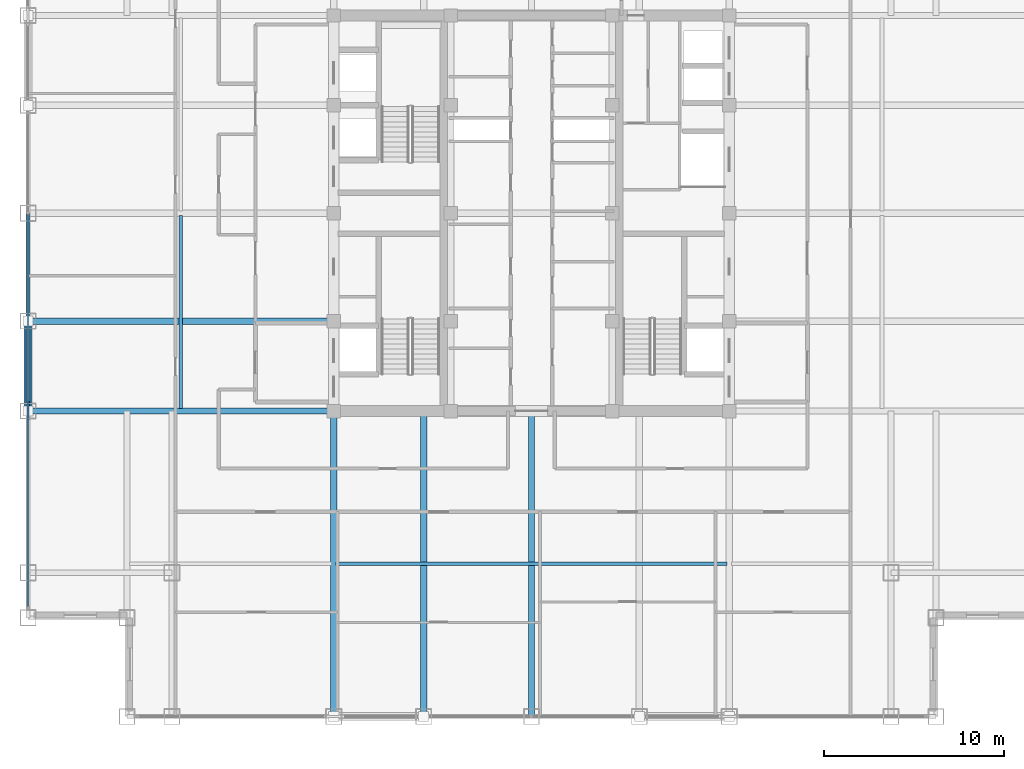
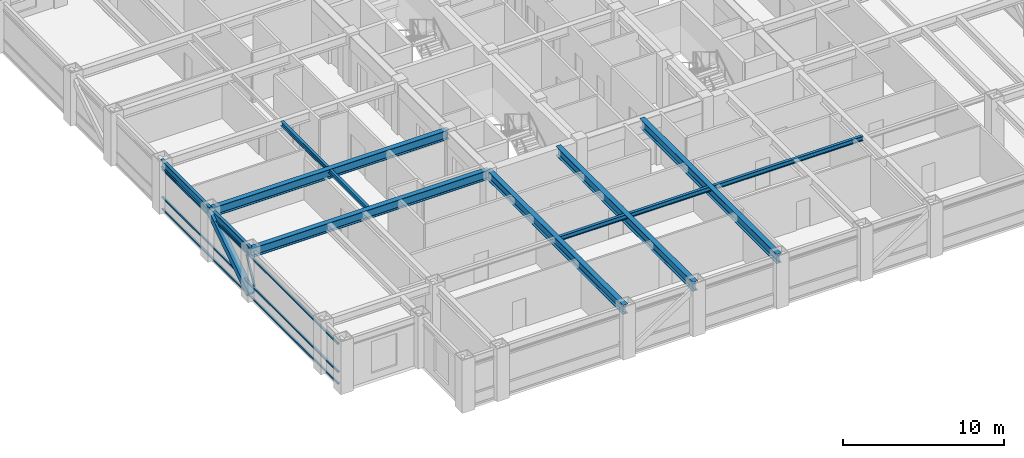
# One storey, part 5 of 22: 9 beams, 5 members, 1 element without a shape of its own.
"""IFC4 building model written with IfcOpenShell, lengths in metres."""

from ifc_helpers import new_model, si_unit, direction, frame, origin, origin_2d, place, context, subcontext, project, spatial, hollow_rectangle, i_section, extrude, source, transform, mapped, material, material_profile, profile_set, type_object, element, aggregate, save


model = new_model("IFC4")

# Units and contexts
model_context = context("Model", 3, precision=1e-05, world=origin(), true_north=direction((0.0, 1.0)))
body_context = subcontext(model_context, "Body", "Model", "MODEL_VIEW")
ifc_project = project(units=[si_unit("LENGTHUNIT", "METRE"), si_unit("AREAUNIT", "SQUARE_METRE"), si_unit("VOLUMEUNIT", "CUBIC_METRE"), si_unit("PLANEANGLEUNIT", "RADIAN"), si_unit("MASSUNIT", "GRAM", prefix="KILO")], contexts=[model_context])

# Site, building, storey
site_placement = place(None, origin())
site = spatial("IfcSite", under=ifc_project, at=site_placement, CompositionType="ELEMENT")
building_placement = place(site_placement, origin())
building = spatial("IfcBuilding", under=site, at=building_placement, Name="Khorayat Bourse Tower", CompositionType="ELEMENT")
storey_placement = place(building_placement, frame((0.0, 0.0, 293.5)))
storey = spatial("IfcBuildingStorey", under=building, at=storey_placement, Name="L69", CompositionType="ELEMENT", Elevation=293.5)

# Member
ifc_material_1 = material(Name="Steel EN 10025-4 S460M", Category="steel")
ifc_material_profile_1 = material_profile(ifc_material_1, hollow_rectangle(XDim=0.449951171875, YDim=0.449951171875, WallThickness=0.02490234375, at=origin_2d()), Name="HSS 450x450x25")
ifc_profile_set_1 = profile_set([ifc_material_profile_1], Name="Steel EN 10025-4 S460M")
member_type_1 = type_object("IfcMemberType", Name="MBR-TUBE-450", PredefinedType="BRACE", material=ifc_profile_set_1)
shared_shape_1 = source(origin(), body_context, "Body", "SweptSolid", [
    extrude(hollow_rectangle(XDim=0.449951171875, YDim=0.449951171875, WallThickness=0.02490234375, at=origin_2d()), origin(), (0.0, 0.0, 1.0), 5.979736328125),
])
member_1_placement = place(storey_placement, frame((-28.0, -11.0, 0.25), z_axis=(0.0, 0.836141536525, 0.548513747227), x_axis=(-1.0, 0.0, 0.0)))
element("IfcMember", 1, at=member_1_placement, inside=storey, type_object=member_type_1, Name="L69 Perimeter Tube Brace 05", PredefinedType="BRACE", context=body_context, shape_type="MappedRepresentation", body=[
    mapped(shared_shape_1, transform((0.0, 0.0, 0.0), scale=1.0)),
])

# Beams
ifc_material_2 = material(Name="Steel ASTM A992 Grade 50", Category="steel")
ifc_material_profile_2 = material_profile(ifc_material_2, i_section(OverallWidth=0.35498046875, OverallDepth=0.695068359375, WebThickness=0.015380859375, FlangeThickness=0.02490234375, FilletRadius=0.01806640625, at=origin_2d()), Name="W690X217")
ifc_profile_set_2 = profile_set([ifc_material_profile_2], Name="Steel ASTM A992 Grade 50")
beam_type_1 = type_object("IfcBeamType", Name="BM-GIRD-690", PredefinedType="BEAM", material=ifc_profile_set_2)
shared_shape_2 = source(origin(), body_context, "Body", "SweptSolid", [
    extrude(i_section(OverallWidth=0.35498046875, OverallDepth=0.695068359375, WebThickness=0.015380859375, FlangeThickness=0.02490234375, FilletRadius=0.01806640625, at=origin_2d()), origin(), (0.0, 0.0, 1.0), 17.0),
])
for number, where, z_axis, x_axis, name in (
    (2, (-11.0, -28.0, 3.4326171875), (0.0, 1.0, 0.0), (-1.0, 0.0, 0.0), "L69 BM-GIRD-690 BM-L69-RADY-065"),
    (3, (-6.0, -28.0, 3.4326171875), (0.0, 1.0, 0.0), (-1.0, 0.0, 0.0), "L69 BM-GIRD-690 BM-L69-RADY-067"),
    (4, (0.0, -28.0, 3.4326171875), (0.0, 1.0, 0.0), (-1.0, 0.0, 0.0), "L69 BM-GIRD-690 BM-L69-RADY-069"),
    (5, (-28.0, -11.0, 3.4326171875), (1.0, 0.0, 0.0), (0.0, 1.0, 0.0), "L69 BM-GIRD-690 BM-L69-RADX-075"),
    (6, (-28.0, -6.0, 3.4326171875), (1.0, 0.0, 0.0), (0.0, 1.0, 0.0), "L69 BM-GIRD-690 BM-L69-RADX-077"),
):
    element("IfcBeam", number, at=place(storey_placement, frame(where, z_axis=z_axis, x_axis=x_axis)), inside=storey, type_object=beam_type_1, Name=name, PredefinedType="BEAM", context=body_context, shape_type="MappedRepresentation", body=[
        mapped(shared_shape_2, transform((0.0, 0.0, 0.0), scale=1.0)),
    ])
ifc_material_profile_3 = material_profile(ifc_material_2, i_section(OverallWidth=0.202880859375, OverallDepth=0.346923828125, WebThickness=0.0078125, FlangeThickness=0.013427734375, FilletRadius=0.010009765625, at=origin_2d()), Name="W360X64")
ifc_profile_set_3 = profile_set([ifc_material_profile_3], Name="Steel ASTM A992 Grade 50")
beam_type_2 = type_object("IfcBeamType", Name="BM-JOIST-360", PredefinedType="JOIST", material=ifc_profile_set_3)
shared_shape_3 = source(origin(), body_context, "Body", "SweptSolid", [
    extrude(i_section(OverallWidth=0.202880859375, OverallDepth=0.346923828125, WebThickness=0.0078125, FlangeThickness=0.013427734375, FilletRadius=0.010009765625, at=origin_2d()), origin(), (0.0, 0.0, 1.0), 21.740234375),
])
beam_1_placement = place(storey_placement, frame((-10.8701171875, -19.5, 3.6064453125), z_axis=(1.0, 0.0, 0.0), x_axis=(0.0, 1.0, 0.0)))
element("IfcBeam", 7, at=beam_1_placement, inside=storey, type_object=beam_type_2, Name="L69 BM-JOIST-360 BM-L69-JSTX-097", PredefinedType="JOIST", context=body_context, shape_type="MappedRepresentation", body=[
    mapped(shared_shape_3, transform((0.0, 0.0, 0.0), scale=1.0)),
])
shared_shape_4 = source(origin(), body_context, "Body", "SweptSolid", [
    extrude(i_section(OverallWidth=0.202880859375, OverallDepth=0.346923828125, WebThickness=0.0078125, FlangeThickness=0.013427734375, FilletRadius=0.010009765625, at=origin_2d()), origin(), (0.0, 0.0, 1.0), 10.740234375),
])
beam_2_placement = place(storey_placement, frame((-19.5, -10.8701171875, 3.6064453125), z_axis=(0.0, 1.0, 0.0), x_axis=(-1.0, 0.0, 0.0)))
element("IfcBeam", 8, at=beam_2_placement, inside=storey, type_object=beam_type_2, Name="L69 BM-JOIST-360 BM-L69-JSTY-102", PredefinedType="JOIST", context=body_context, shape_type="MappedRepresentation", body=[
    mapped(shared_shape_4, transform((0.0, 0.0, 0.0), scale=1.0)),
])
ifc_material_profile_4 = material_profile(ifc_material_2, i_section(OverallWidth=0.214111328125, OverallDepth=0.549072265625, WebThickness=0.0146484375, FlangeThickness=0.023681640625, FilletRadius=0.013916015625, at=origin_2d()), Name="W530X138")
ifc_profile_set_4 = profile_set([ifc_material_profile_4], Name="Steel ASTM A992 Grade 50")
beam_type_3 = type_object("IfcBeamType", Name="BM-SPAN-530", PredefinedType="SPANDREL", material=ifc_profile_set_4)
shared_shape_5 = source(origin(), body_context, "Body", "SweptSolid", [
    extrude(i_section(OverallWidth=0.214111328125, OverallDepth=0.549072265625, WebThickness=0.0146484375, FlangeThickness=0.023681640625, FilletRadius=0.013916015625, at=origin_2d()), origin(), (0.0, 0.0, 1.0), 5.0),
])
beam_3_placement = place(storey_placement, frame((-28.0, -11.0, 3.505615234375), z_axis=(0.0, 1.0, 0.0), x_axis=(-1.0, 0.0, 0.0)))
element("IfcBeam", 9, at=beam_3_placement, inside=storey, type_object=beam_type_3, Name="L69 BM-SPAN-530 BM-L69-SPN-059", PredefinedType="SPANDREL", context=body_context, shape_type="MappedRepresentation", body=[
    mapped(shared_shape_5, transform((0.0, 0.0, 0.0), scale=1.0)),
])
shared_shape_6 = source(origin(), body_context, "Body", "SweptSolid", [
    extrude(i_section(OverallWidth=0.214111328125, OverallDepth=0.549072265625, WebThickness=0.0146484375, FlangeThickness=0.023681640625, FilletRadius=0.013916015625, at=origin_2d()), origin(), (0.0, 0.0, 1.0), 6.0),
])
beam_4_placement = place(storey_placement, frame((-28.0, -6.0, 3.505615234375), z_axis=(0.0, 1.0, 0.0), x_axis=(-1.0, 0.0, 0.0)))
element("IfcBeam", 10, at=beam_4_placement, inside=storey, type_object=beam_type_3, Name="L69 BM-SPAN-530 BM-L69-SPN-058", PredefinedType="SPANDREL", context=body_context, shape_type="MappedRepresentation", body=[
    mapped(shared_shape_6, transform((0.0, 0.0, 0.0), scale=1.0)),
])

# Curtain wall, members
ifc_material_3 = material(Name="Aluminium EN AW-6063 T6", Category="aluminium")
curtain_wall_type = type_object("IfcCurtainWallType", Name="CW-SYS-04", PredefinedType="NOTDEFINED", material=ifc_material_3)
curtain_wall_placement = place(storey_placement, origin())
curtain_wall = element("IfcCurtainWall", 11, at=curtain_wall_placement, inside=storey, type_object=curtain_wall_type, Name="L69 Curtain Wall CW-L69-W1", PredefinedType="NOTDEFINED")
ifc_material_profile_5 = material_profile(ifc_material_3, hollow_rectangle(XDim=0.1201171875, YDim=0.1201171875, WallThickness=0.0048828125, at=origin_2d()), Name="ALU 120x120x5")
ifc_profile_set_5 = profile_set([ifc_material_profile_5], Name="Aluminium EN AW-6063 T6")
member_type_2 = type_object("IfcMemberType", Name="CWM-DIAG-120", PredefinedType="MULLION", material=ifc_profile_set_5)
shared_shape_7 = source(origin(), body_context, "Body", "SweptSolid", [
    extrude(hollow_rectangle(XDim=0.1201171875, YDim=0.1201171875, WallThickness=0.0048828125, at=origin_2d()), origin(), (0.0, 0.0, 1.0), 2.0791015625),
])
member_2_placement = place(storey_placement, frame((-28.0, -11.4541015625, 1.090087890625), z_axis=(0.0, 0.465717394116, 0.884933505309), x_axis=(-1.0, 0.0, 0.0)))
member_2 = element("IfcMember", 12, at=member_2_placement, type_object=member_type_2, Name="CW-L69-W1 Faceted Diagonal Mullion 1", PredefinedType="MULLION", context=body_context, shape_type="MappedRepresentation", body=[
    mapped(shared_shape_7, transform((0.0, 0.0, 0.0), scale=1.0)),
])
ifc_material_profile_6 = material_profile(ifc_material_3, hollow_rectangle(XDim=0.1201171875, YDim=0.1201171875, WallThickness=0.0048828125, at=origin_2d()), Name="ALU 120x120x5")
ifc_profile_set_6 = profile_set([ifc_material_profile_6], Name="Aluminium EN AW-6063 T6")
member_type_3 = type_object("IfcMemberType", Name="CWT-HORZ-120", PredefinedType="USERDEFINED", material=ifc_profile_set_6)
shared_shape_8 = source(origin(), body_context, "Body", "SweptSolid", [
    extrude(hollow_rectangle(XDim=0.1201171875, YDim=0.1201171875, WallThickness=0.0048828125, at=origin_2d()), origin(), (0.0, 0.0, 1.0), 21.81982421875),
])
member_3_placement = place(storey_placement, frame((-28.0, -21.8798828125, 0.06005859375), z_axis=(0.0, 1.0, 0.0), x_axis=(-1.0, 0.0, 0.0)))
member_3 = element("IfcMember", 13, at=member_3_placement, type_object=member_type_3, Name="CW-L69-W1 Horizontal Transom 1-1", ObjectType="TRANSOM", PredefinedType="USERDEFINED", context=body_context, shape_type="MappedRepresentation", body=[
    mapped(shared_shape_8, transform((0.0, 0.0, 0.0), scale=1.0)),
])
member_4_placement = place(storey_placement, frame((-28.0, -21.8798828125, 0.949951171875), z_axis=(0.0, 1.0, 0.0), x_axis=(-1.0, 0.0, 0.0)))
member_4 = element("IfcMember", 14, at=member_4_placement, type_object=member_type_3, Name="CW-L69-W1 Horizontal Transom 1-2", ObjectType="TRANSOM", PredefinedType="USERDEFINED", context=body_context, shape_type="MappedRepresentation", body=[
    mapped(shared_shape_8, transform((0.0, 0.0, 0.0), scale=1.0)),
])
member_5_placement = place(storey_placement, frame((-28.0, -21.8798828125, 3.070068359375), z_axis=(0.0, 1.0, 0.0), x_axis=(-1.0, 0.0, 0.0)))
member_5 = element("IfcMember", 15, at=member_5_placement, type_object=member_type_3, Name="CW-L69-W1 Horizontal Transom 1-3", ObjectType="TRANSOM", PredefinedType="USERDEFINED", context=body_context, shape_type="MappedRepresentation", body=[
    mapped(shared_shape_8, transform((0.0, 0.0, 0.0), scale=1.0)),
])
aggregate(curtain_wall, [member_3, member_4, member_5, member_2])

save(model, "model.ifc")
